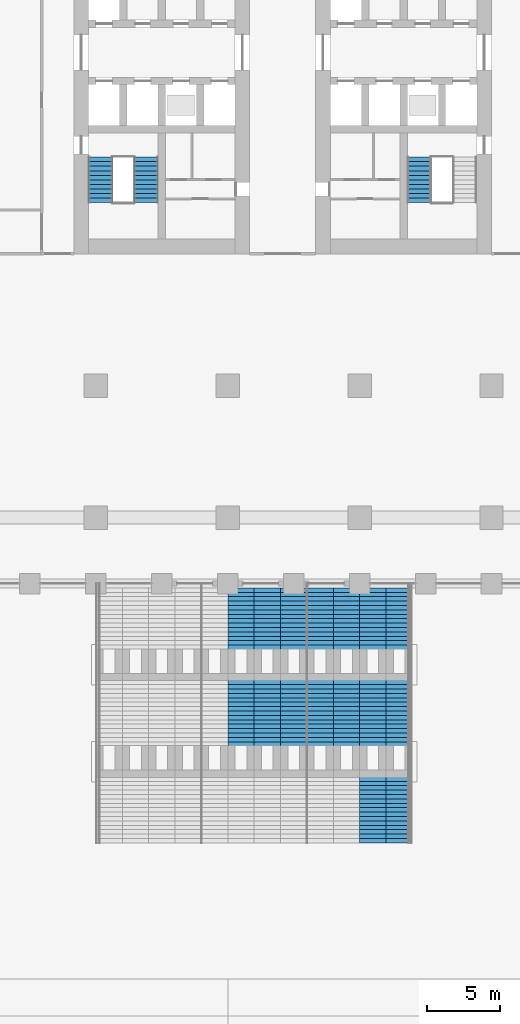
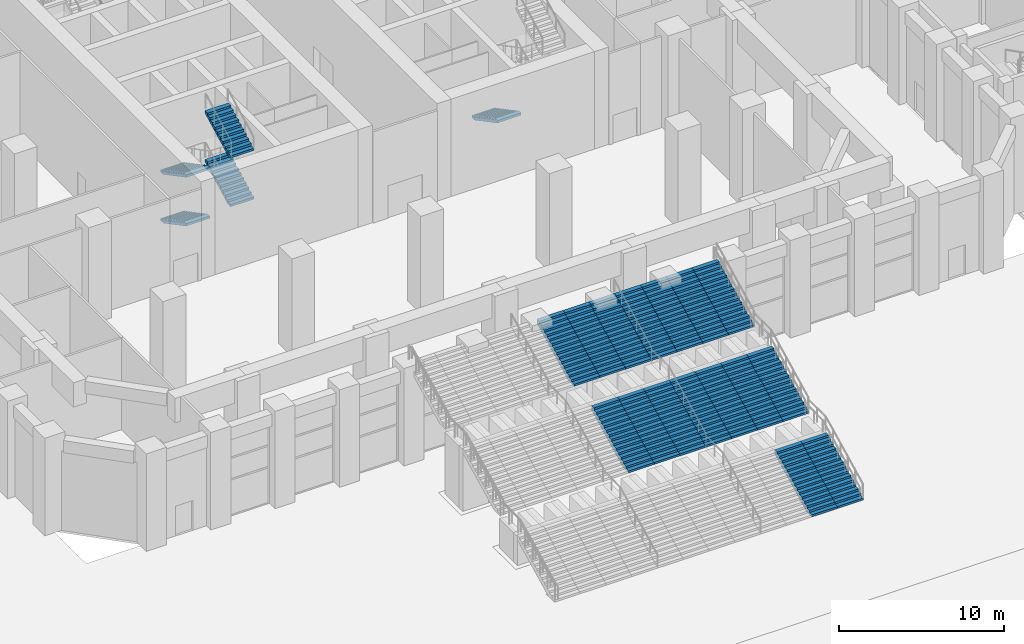
# One storey, part 20 of 30: 21 stair flights, 9 elements without a shape of their own.
"""IFC4 building model written with IfcOpenShell, lengths in metres."""

import ifcopenshell
import ifcopenshell.guid

model = None  # the IFC model being written
_history = None  # IfcOwnerHistory: only IFC2X3 demands one
_inside = {}  # id of a spatial element -> (the spatial element, [elements in it])
_under = {}  # id of a project, library or spatial element -> (it, [spatial elements below it])
_declared = {}  # id of a project -> (the project, [libraries it declares])
_typed = {}  # id of a type object -> (the type object, [elements of that type])
_made_of = {}  # id of a material, layer set ... -> (it, [elements and type objects made of it])


def new_model(schema):
    """Start an empty IFC model of exactly this schema.

    Asked for "IFC4X3", IfcOpenShell would pick the latest addendum, in which some entities
    have other attributes; the version numbers below select the first issue.
    IFC2X3 requires an IfcOwnerHistory on every rooted entity: one is made here for all.
    """
    global model, _history
    if schema == "IFC4X3":
        model = ifcopenshell.file(schema_version=(4, 3, 0, 0))
    else:
        model = ifcopenshell.file(schema=schema)
    _inside.clear()
    _under.clear()
    _declared.clear()
    _typed.clear()
    _made_of.clear()
    _history = None
    if model.schema == "IFC2X3":
        org = make("IfcOrganization", Name="unknown")
        user = make(
            "IfcPersonAndOrganization",
            ThePerson=make("IfcPerson", FamilyName="unknown"),
            TheOrganization=org,
        )
        app = make(
            "IfcApplication",
            ApplicationDeveloper=org,
            Version="unknown",
            ApplicationFullName="unknown",
            ApplicationIdentifier="unknown",
        )
        _history = make(
            "IfcOwnerHistory",
            OwningUser=user,
            OwningApplication=app,
            ChangeAction="ADDED",
            CreationDate=0,
        )
    return model


def make(cls, **values):
    """One entity of the class cls with the attributes given. An attribute that is None is left unset."""
    return model.create_entity(
        cls, **{name: value for name, value in values.items() if value is not None}
    )


def rooted(cls, **values):
    """An entity with a GlobalId (a new one), such as an element, a storey or a relation."""
    return make(cls, GlobalId=ifcopenshell.guid.new(), OwnerHistory=_history, **values)


def si_unit(unit_type, name, prefix=None):
    """IfcSIUnit, for example si_unit("LENGTHUNIT", "METRE", prefix="MILLI")."""
    return make("IfcSIUnit", UnitType=unit_type, Prefix=prefix, Name=name)


def assignment(units):
    """IfcUnitAssignment: the units of a project."""
    return None if units is None else make("IfcUnitAssignment", Units=units)


def point(xyz):
    """IfcCartesianPoint."""
    return None if xyz is None else make("IfcCartesianPoint", Coordinates=xyz)


def direction(xyz):
    """IfcDirection."""
    return None if xyz is None else make("IfcDirection", DirectionRatios=xyz)


def frame(location, z_axis=None, x_axis=None):
    """IfcAxis2Placement3D, a coordinate frame: its origin and axes. An axis left out is left unset."""
    return make(
        "IfcAxis2Placement3D",
        Location=point(location),
        Axis=direction(z_axis),
        RefDirection=direction(x_axis),
    )


def origin():
    """The frame at (0, 0, 0) with its axes left unset."""
    return frame((0.0, 0.0, 0.0))


def place(relative_to, where):
    """IfcLocalPlacement: puts the frame where relative to a parent placement (None: the world)."""
    return make(
        "IfcLocalPlacement", PlacementRelTo=relative_to, RelativePlacement=where
    )


def context(
    kind, dimensions, precision=None, world=None, true_north=None, identifier=None
):
    """IfcGeometricRepresentationContext, for example the 3D "Model" context."""
    return make(
        "IfcGeometricRepresentationContext",
        ContextIdentifier=identifier,
        ContextType=kind,
        CoordinateSpaceDimension=dimensions,
        Precision=precision,
        WorldCoordinateSystem=world,
        TrueNorth=true_north,
    )


def subcontext(parent, identifier, kind, view, scale=None):
    """IfcGeometricRepresentationSubContext, for example "Body" below "Model"."""
    return make(
        "IfcGeometricRepresentationSubContext",
        ContextIdentifier=identifier,
        ContextType=kind,
        ParentContext=parent,
        TargetScale=scale,
        TargetView=view,
    )


def project(units=None, contexts=None):
    """IfcProject with its units and contexts."""
    return rooted(
        "IfcProject",
        Name="project",
        RepresentationContexts=contexts,
        UnitsInContext=assignment(units),
    )


def spatial(cls, under=None, at=None, **own):
    """A site, building, storey or space (cls), placed at a placement, below another one or the project."""
    s = rooted(cls, ObjectPlacement=at, **own)
    if under is not None:
        _under.setdefault(under.id(), (under, []))[1].append(s)
    return s


def polyline(points):
    """IfcPolyline through the points."""
    return make("IfcPolyline", Points=[point(p) for p in points])


def outline(outer, holes=None, kind="AREA"):
    """IfcArbitraryClosedProfileDef: a profile drawn as a closed curve; with holes, ...WithVoids."""
    if holes is None:
        return make("IfcArbitraryClosedProfileDef", ProfileType=kind, OuterCurve=outer)
    return make(
        "IfcArbitraryProfileDefWithVoids",
        ProfileType=kind,
        OuterCurve=outer,
        InnerCurves=holes,
    )


def extrude(swept, where, along, depth):
    """IfcExtrudedAreaSolid: the profile swept, set in the frame where, extruded along a direction by depth."""
    return make(
        "IfcExtrudedAreaSolid",
        SweptArea=swept,
        Position=where,
        ExtrudedDirection=direction(along),
        Depth=depth,
    )


def shape(context_of_items, identifier, shape_type, items):
    """IfcShapeRepresentation: the items that make up one representation, for example the "Body"."""
    return make(
        "IfcShapeRepresentation",
        ContextOfItems=context_of_items,
        RepresentationIdentifier=identifier,
        RepresentationType=shape_type,
        Items=items,
    )


def material(Name=None, Category=None):
    """IfcMaterial."""
    return make("IfcMaterial", Name=Name, Category=Category)


def made_of(thing, what):
    """Note that an element or type object is made of a material, layer set ...; save() writes the relation."""
    if what is not None:
        _made_of.setdefault(what.id(), (what, []))[1].append(thing)
    return thing


def type_object(cls, material=None, **own):
    """A type object (cls), such as IfcWallType, which elements share."""
    return made_of(rooted(cls, **own), material)


def element(
    cls,
    number,
    at=None,
    inside=None,
    cuts=None,
    type_object=None,
    material=None,
    context=None,
    identifier="Body",
    shape_type=None,
    held_by="IfcProductDefinitionShape",
    body=None,
    shapes=None,
    **own,
):
    """One element of the class cls, such as IfcWall. Its Tag is "e" and its number.

    at: its placement. inside: the storey or other place that contains it. cuts: it is an
    opening in that element (IfcRelVoidsElement). A single representation is given by context,
    identifier, shape_type and body (its items); several are given by shapes. held_by: the class
    of the entity that holds the representations. save() writes the other relations.
    """
    e = rooted(cls, Tag="e%d" % number, ObjectPlacement=at, **own)
    if body is not None:
        shapes = [shape(context, identifier, shape_type, body)]
    if shapes is not None:
        e.Representation = make(held_by, Representations=shapes)
    if inside is not None:
        _inside.setdefault(inside.id(), (inside, []))[1].append(e)
    if cuts is not None:
        rooted(
            "IfcRelVoidsElement", RelatingBuildingElement=cuts, RelatedOpeningElement=e
        )
    if type_object is not None:
        _typed.setdefault(type_object.id(), (type_object, []))[1].append(e)
    return made_of(e, material)


def aggregate(whole, parts):
    """IfcRelAggregates: a whole, such as a stair, and the parts it consists of."""
    return rooted("IfcRelAggregates", RelatingObject=whole, RelatedObjects=parts)


def save(model, path):
    """Write the relations noted so far, then the file.

    IfcRelAggregates (storeys below a building ...), IfcRelContainedInSpatialStructure (elements
    in a storey), IfcRelDefinesByType, IfcRelAssociatesMaterial and IfcRelDeclares: one each for
    every whole, place, type object, material and project.
    """
    for whole, parts in _under.values():
        aggregate(whole, parts)
    for where, things in _inside.values():
        rooted(
            "IfcRelContainedInSpatialStructure",
            RelatedElements=things,
            RelatingStructure=where,
        )
    for kind, things in _typed.values():
        rooted("IfcRelDefinesByType", RelatedObjects=things, RelatingType=kind)
    for what, things in _made_of.values():
        rooted("IfcRelAssociatesMaterial", RelatedObjects=things, RelatingMaterial=what)
    for by, libraries in _declared.values():
        rooted("IfcRelDeclares", RelatingContext=by, RelatedDefinitions=libraries)
    model.write(path)


model = new_model("IFC4")

# Units and contexts
model_context = context("Model", 3, precision=1e-05, world=origin(), true_north=direction((0.0, 1.0)))
body_context = subcontext(model_context, "Body", "Model", "MODEL_VIEW")
ifc_project = project(units=[si_unit("LENGTHUNIT", "METRE"), si_unit("AREAUNIT", "SQUARE_METRE"), si_unit("VOLUMEUNIT", "CUBIC_METRE"), si_unit("PLANEANGLEUNIT", "RADIAN"), si_unit("MASSUNIT", "GRAM", prefix="KILO")], contexts=[model_context])

# Site, building, storey
site_placement = place(None, origin())
site = spatial("IfcSite", under=ifc_project, at=site_placement, CompositionType="ELEMENT")
building_placement = place(site_placement, origin())
building = spatial("IfcBuilding", under=site, at=building_placement, Name="Corbel Stack Research Tower", CompositionType="ELEMENT")
storey_placement = place(building_placement, origin())
storey = spatial("IfcBuildingStorey", under=building, at=storey_placement, Name="L00", CompositionType="ELEMENT", Elevation=0.0)

# Stair, stair flights
ifc_material_1 = material(Name="Concrete C40/50", Category="concrete")
stair_type_1 = type_object("IfcStairType", Name="SST1 garden stair", PredefinedType="STRAIGHT_RUN_STAIR", material=ifc_material_1)
stair_1_placement = place(storey_placement, origin())
stair_1 = element("IfcStair", 1, at=stair_1_placement, inside=storey, type_object=stair_type_1, Name="Garden stair GS6", PredefinedType="STRAIGHT_RUN_STAIR")
ifc_material_2 = material(Name="Concrete C40/50", Category="concrete")
stair_flight_type_1 = type_object("IfcStairFlightType", Name="SST2 garden stair flight", PredefinedType="STRAIGHT", material=ifc_material_2)
stair_flight_1_placement = place(storey_placement, frame((0.89990234375, -42.60009765625, 2.39990234375), z_axis=(0.0, 0.0, 1.0), x_axis=(0.0, 1.0, 0.0)))
stair_flight_1 = element("IfcStairFlight", 2, at=stair_flight_1_placement, type_object=stair_flight_type_1, Name="GS6 flight 2", NumberOfRisers=16, NumberOfTreads=15, PredefinedType="STRAIGHT", RiserHeight=0.15, TreadLength=0.3, context=body_context, shape_type="SweptSolid", body=[
    extrude(outline(polyline([(0.0, 0.0), (0.0, 0.14990234375), (0.300048828125, 0.14990234375), (0.300048828125, 0.300048828125), (0.60009765625, 0.300048828125), (0.60009765625, 0.449951171875), (0.89990234375, 0.449951171875), (0.89990234375, 0.60009765625), (1.199951171875, 0.60009765625), (1.199951171875, 0.75), (1.5, 0.75), (1.5, 0.89990234375), (1.800048828125, 0.89990234375), (1.800048828125, 1.050048828125), (2.10009765625, 1.050048828125), (2.10009765625, 1.199951171875), (2.39990234375, 1.199951171875), (2.39990234375, 1.35009765625), (2.699951171875, 1.35009765625), (2.699951171875, 1.5), (3.0, 1.5), (3.0, 1.64990234375), (3.300048828125, 1.64990234375), (3.300048828125, 1.800048828125), (3.60009765625, 1.800048828125), (3.60009765625, 1.949951171875), (3.89990234375, 1.949951171875), (3.89990234375, 2.10009765625), (4.199951171875, 2.10009765625), (4.199951171875, 2.25), (4.5, 2.25), (4.5, 2.39990234375), (4.5, 1.91455078125), (0.6708984375, 0.0), (0.0, 0.0)])), frame((0.0, 0.89990234375, 0.0), z_axis=(0.0, -1.0, 0.0), x_axis=(1.0, 0.0, 0.0)), (0.0, 0.0, 1.0), 1.800048828125),
])
stair_flight_2_placement = place(storey_placement, frame((0.89990234375, -36.0, 4.800048828125), z_axis=(0.0, 0.0, 1.0), x_axis=(0.0, 1.0, 0.0)))
stair_flight_2 = element("IfcStairFlight", 3, at=stair_flight_2_placement, type_object=stair_flight_type_1, Name="GS6 flight 3", NumberOfRisers=16, NumberOfTreads=15, PredefinedType="STRAIGHT", RiserHeight=0.15, TreadLength=0.3, context=body_context, shape_type="SweptSolid", body=[
    extrude(outline(polyline([(0.0, 0.0), (0.0, 0.14990234375), (0.300048828125, 0.14990234375), (0.300048828125, 0.300048828125), (0.60009765625, 0.300048828125), (0.60009765625, 0.449951171875), (0.89990234375, 0.449951171875), (0.89990234375, 0.60009765625), (1.199951171875, 0.60009765625), (1.199951171875, 0.75), (1.5, 0.75), (1.5, 0.89990234375), (1.800048828125, 0.89990234375), (1.800048828125, 1.050048828125), (2.10009765625, 1.050048828125), (2.10009765625, 1.199951171875), (2.39990234375, 1.199951171875), (2.39990234375, 1.35009765625), (2.699951171875, 1.35009765625), (2.699951171875, 1.5), (3.0, 1.5), (3.0, 1.64990234375), (3.300048828125, 1.64990234375), (3.300048828125, 1.800048828125), (3.60009765625, 1.800048828125), (3.60009765625, 1.949951171875), (3.89990234375, 1.949951171875), (3.89990234375, 2.10009765625), (4.199951171875, 2.10009765625), (4.199951171875, 2.25), (4.5, 2.25), (4.5, 2.39990234375), (4.5, 1.91455078125), (0.6708984375, 0.0), (0.0, 0.0)])), frame((0.0, 0.89990234375, 0.0), z_axis=(0.0, -1.0, 0.0), x_axis=(1.0, 0.0, 0.0)), (0.0, 0.0, 1.0), 1.800048828125),
])
aggregate(stair_1, [stair_flight_1, stair_flight_2])

stair_2_placement = place(storey_placement, origin())
stair_2 = element("IfcStair", 4, at=stair_2_placement, inside=storey, type_object=stair_type_1, Name="Garden stair GS7", PredefinedType="STRAIGHT_RUN_STAIR")
stair_flight_3_placement = place(storey_placement, frame((2.699951171875, -42.60009765625, 2.39990234375), z_axis=(0.0, 0.0, 1.0), x_axis=(0.0, 1.0, 0.0)))
stair_flight_3 = element("IfcStairFlight", 5, at=stair_flight_3_placement, type_object=stair_flight_type_1, Name="GS7 flight 2", NumberOfRisers=16, NumberOfTreads=15, PredefinedType="STRAIGHT", RiserHeight=0.15, TreadLength=0.3, context=body_context, shape_type="SweptSolid", body=[
    extrude(outline(polyline([(0.0, 0.0), (0.0, 0.14990234375), (0.300048828125, 0.14990234375), (0.300048828125, 0.300048828125), (0.60009765625, 0.300048828125), (0.60009765625, 0.449951171875), (0.89990234375, 0.449951171875), (0.89990234375, 0.60009765625), (1.199951171875, 0.60009765625), (1.199951171875, 0.75), (1.5, 0.75), (1.5, 0.89990234375), (1.800048828125, 0.89990234375), (1.800048828125, 1.050048828125), (2.10009765625, 1.050048828125), (2.10009765625, 1.199951171875), (2.39990234375, 1.199951171875), (2.39990234375, 1.35009765625), (2.699951171875, 1.35009765625), (2.699951171875, 1.5), (3.0, 1.5), (3.0, 1.64990234375), (3.300048828125, 1.64990234375), (3.300048828125, 1.800048828125), (3.60009765625, 1.800048828125), (3.60009765625, 1.949951171875), (3.89990234375, 1.949951171875), (3.89990234375, 2.10009765625), (4.199951171875, 2.10009765625), (4.199951171875, 2.25), (4.5, 2.25), (4.5, 2.39990234375), (4.5, 1.91455078125), (0.6708984375, 0.0), (0.0, 0.0)])), frame((0.0, 0.89990234375, 0.0), z_axis=(0.0, -1.0, 0.0), x_axis=(1.0, 0.0, 0.0)), (0.0, 0.0, 1.0), 1.800048828125),
])
stair_flight_4_placement = place(storey_placement, frame((2.699951171875, -36.0, 4.800048828125), z_axis=(0.0, 0.0, 1.0), x_axis=(0.0, 1.0, 0.0)))
stair_flight_4 = element("IfcStairFlight", 6, at=stair_flight_4_placement, type_object=stair_flight_type_1, Name="GS7 flight 3", NumberOfRisers=16, NumberOfTreads=15, PredefinedType="STRAIGHT", RiserHeight=0.15, TreadLength=0.3, context=body_context, shape_type="SweptSolid", body=[
    extrude(outline(polyline([(0.0, 0.0), (0.0, 0.14990234375), (0.300048828125, 0.14990234375), (0.300048828125, 0.300048828125), (0.60009765625, 0.300048828125), (0.60009765625, 0.449951171875), (0.89990234375, 0.449951171875), (0.89990234375, 0.60009765625), (1.199951171875, 0.60009765625), (1.199951171875, 0.75), (1.5, 0.75), (1.5, 0.89990234375), (1.800048828125, 0.89990234375), (1.800048828125, 1.050048828125), (2.10009765625, 1.050048828125), (2.10009765625, 1.199951171875), (2.39990234375, 1.199951171875), (2.39990234375, 1.35009765625), (2.699951171875, 1.35009765625), (2.699951171875, 1.5), (3.0, 1.5), (3.0, 1.64990234375), (3.300048828125, 1.64990234375), (3.300048828125, 1.800048828125), (3.60009765625, 1.800048828125), (3.60009765625, 1.949951171875), (3.89990234375, 1.949951171875), (3.89990234375, 2.10009765625), (4.199951171875, 2.10009765625), (4.199951171875, 2.25), (4.5, 2.25), (4.5, 2.39990234375), (4.5, 1.91455078125), (0.6708984375, 0.0), (0.0, 0.0)])), frame((0.0, 0.89990234375, 0.0), z_axis=(0.0, -1.0, 0.0), x_axis=(1.0, 0.0, 0.0)), (0.0, 0.0, 1.0), 1.800048828125),
])
aggregate(stair_2, [stair_flight_3, stair_flight_4])

stair_3_placement = place(storey_placement, origin())
stair_3 = element("IfcStair", 7, at=stair_3_placement, inside=storey, type_object=stair_type_1, Name="Garden stair GS8", PredefinedType="STRAIGHT_RUN_STAIR")
stair_flight_5_placement = place(storey_placement, frame((4.5, -42.60009765625, 2.39990234375), z_axis=(0.0, 0.0, 1.0), x_axis=(0.0, 1.0, 0.0)))
stair_flight_5 = element("IfcStairFlight", 8, at=stair_flight_5_placement, type_object=stair_flight_type_1, Name="GS8 flight 2", NumberOfRisers=16, NumberOfTreads=15, PredefinedType="STRAIGHT", RiserHeight=0.15, TreadLength=0.3, context=body_context, shape_type="SweptSolid", body=[
    extrude(outline(polyline([(0.0, 0.0), (0.0, 0.14990234375), (0.300048828125, 0.14990234375), (0.300048828125, 0.300048828125), (0.60009765625, 0.300048828125), (0.60009765625, 0.449951171875), (0.89990234375, 0.449951171875), (0.89990234375, 0.60009765625), (1.199951171875, 0.60009765625), (1.199951171875, 0.75), (1.5, 0.75), (1.5, 0.89990234375), (1.800048828125, 0.89990234375), (1.800048828125, 1.050048828125), (2.10009765625, 1.050048828125), (2.10009765625, 1.199951171875), (2.39990234375, 1.199951171875), (2.39990234375, 1.35009765625), (2.699951171875, 1.35009765625), (2.699951171875, 1.5), (3.0, 1.5), (3.0, 1.64990234375), (3.300048828125, 1.64990234375), (3.300048828125, 1.800048828125), (3.60009765625, 1.800048828125), (3.60009765625, 1.949951171875), (3.89990234375, 1.949951171875), (3.89990234375, 2.10009765625), (4.199951171875, 2.10009765625), (4.199951171875, 2.25), (4.5, 2.25), (4.5, 2.39990234375), (4.5, 1.91455078125), (0.6708984375, 0.0), (0.0, 0.0)])), frame((0.0, 0.89990234375, 0.0), z_axis=(0.0, -1.0, 0.0), x_axis=(1.0, 0.0, 0.0)), (0.0, 0.0, 1.0), 1.800048828125),
])
stair_flight_6_placement = place(storey_placement, frame((4.5, -36.0, 4.800048828125), z_axis=(0.0, 0.0, 1.0), x_axis=(0.0, 1.0, 0.0)))
stair_flight_6 = element("IfcStairFlight", 9, at=stair_flight_6_placement, type_object=stair_flight_type_1, Name="GS8 flight 3", NumberOfRisers=16, NumberOfTreads=15, PredefinedType="STRAIGHT", RiserHeight=0.15, TreadLength=0.3, context=body_context, shape_type="SweptSolid", body=[
    extrude(outline(polyline([(0.0, 0.0), (0.0, 0.14990234375), (0.300048828125, 0.14990234375), (0.300048828125, 0.300048828125), (0.60009765625, 0.300048828125), (0.60009765625, 0.449951171875), (0.89990234375, 0.449951171875), (0.89990234375, 0.60009765625), (1.199951171875, 0.60009765625), (1.199951171875, 0.75), (1.5, 0.75), (1.5, 0.89990234375), (1.800048828125, 0.89990234375), (1.800048828125, 1.050048828125), (2.10009765625, 1.050048828125), (2.10009765625, 1.199951171875), (2.39990234375, 1.199951171875), (2.39990234375, 1.35009765625), (2.699951171875, 1.35009765625), (2.699951171875, 1.5), (3.0, 1.5), (3.0, 1.64990234375), (3.300048828125, 1.64990234375), (3.300048828125, 1.800048828125), (3.60009765625, 1.800048828125), (3.60009765625, 1.949951171875), (3.89990234375, 1.949951171875), (3.89990234375, 2.10009765625), (4.199951171875, 2.10009765625), (4.199951171875, 2.25), (4.5, 2.25), (4.5, 2.39990234375), (4.5, 1.91455078125), (0.6708984375, 0.0), (0.0, 0.0)])), frame((0.0, 0.89990234375, 0.0), z_axis=(0.0, -1.0, 0.0), x_axis=(1.0, 0.0, 0.0)), (0.0, 0.0, 1.0), 1.800048828125),
])
aggregate(stair_3, [stair_flight_5, stair_flight_6])

stair_4_placement = place(storey_placement, origin())
stair_4 = element("IfcStair", 10, at=stair_4_placement, inside=storey, type_object=stair_type_1, Name="Garden stair GS9", PredefinedType="STRAIGHT_RUN_STAIR")
stair_flight_7_placement = place(storey_placement, frame((6.300048828125, -42.60009765625, 2.39990234375), z_axis=(0.0, 0.0, 1.0), x_axis=(0.0, 1.0, 0.0)))
stair_flight_7 = element("IfcStairFlight", 11, at=stair_flight_7_placement, type_object=stair_flight_type_1, Name="GS9 flight 2", NumberOfRisers=16, NumberOfTreads=15, PredefinedType="STRAIGHT", RiserHeight=0.15, TreadLength=0.3, context=body_context, shape_type="SweptSolid", body=[
    extrude(outline(polyline([(0.0, 0.0), (0.0, 0.14990234375), (0.300048828125, 0.14990234375), (0.300048828125, 0.300048828125), (0.60009765625, 0.300048828125), (0.60009765625, 0.449951171875), (0.89990234375, 0.449951171875), (0.89990234375, 0.60009765625), (1.199951171875, 0.60009765625), (1.199951171875, 0.75), (1.5, 0.75), (1.5, 0.89990234375), (1.800048828125, 0.89990234375), (1.800048828125, 1.050048828125), (2.10009765625, 1.050048828125), (2.10009765625, 1.199951171875), (2.39990234375, 1.199951171875), (2.39990234375, 1.35009765625), (2.699951171875, 1.35009765625), (2.699951171875, 1.5), (3.0, 1.5), (3.0, 1.64990234375), (3.300048828125, 1.64990234375), (3.300048828125, 1.800048828125), (3.60009765625, 1.800048828125), (3.60009765625, 1.949951171875), (3.89990234375, 1.949951171875), (3.89990234375, 2.10009765625), (4.199951171875, 2.10009765625), (4.199951171875, 2.25), (4.5, 2.25), (4.5, 2.39990234375), (4.5, 1.91455078125), (0.6708984375, 0.0), (0.0, 0.0)])), frame((0.0, 0.89990234375, 0.0), z_axis=(0.0, -1.0, 0.0), x_axis=(1.0, 0.0, 0.0)), (0.0, 0.0, 1.0), 1.800048828125),
])
stair_flight_8_placement = place(storey_placement, frame((6.300048828125, -36.0, 4.800048828125), z_axis=(0.0, 0.0, 1.0), x_axis=(0.0, 1.0, 0.0)))
stair_flight_8 = element("IfcStairFlight", 12, at=stair_flight_8_placement, type_object=stair_flight_type_1, Name="GS9 flight 3", NumberOfRisers=16, NumberOfTreads=15, PredefinedType="STRAIGHT", RiserHeight=0.15, TreadLength=0.3, context=body_context, shape_type="SweptSolid", body=[
    extrude(outline(polyline([(0.0, 0.0), (0.0, 0.14990234375), (0.300048828125, 0.14990234375), (0.300048828125, 0.300048828125), (0.60009765625, 0.300048828125), (0.60009765625, 0.449951171875), (0.89990234375, 0.449951171875), (0.89990234375, 0.60009765625), (1.199951171875, 0.60009765625), (1.199951171875, 0.75), (1.5, 0.75), (1.5, 0.89990234375), (1.800048828125, 0.89990234375), (1.800048828125, 1.050048828125), (2.10009765625, 1.050048828125), (2.10009765625, 1.199951171875), (2.39990234375, 1.199951171875), (2.39990234375, 1.35009765625), (2.699951171875, 1.35009765625), (2.699951171875, 1.5), (3.0, 1.5), (3.0, 1.64990234375), (3.300048828125, 1.64990234375), (3.300048828125, 1.800048828125), (3.60009765625, 1.800048828125), (3.60009765625, 1.949951171875), (3.89990234375, 1.949951171875), (3.89990234375, 2.10009765625), (4.199951171875, 2.10009765625), (4.199951171875, 2.25), (4.5, 2.25), (4.5, 2.39990234375), (4.5, 1.91455078125), (0.6708984375, 0.0), (0.0, 0.0)])), frame((0.0, 0.89990234375, 0.0), z_axis=(0.0, -1.0, 0.0), x_axis=(1.0, 0.0, 0.0)), (0.0, 0.0, 1.0), 1.800048828125),
])
aggregate(stair_4, [stair_flight_7, stair_flight_8])

stair_5_placement = place(storey_placement, origin())
stair_5 = element("IfcStair", 13, at=stair_5_placement, inside=storey, type_object=stair_type_1, Name="Garden stair GS10", PredefinedType="STRAIGHT_RUN_STAIR")
stair_flight_9_placement = place(storey_placement, frame((8.10009765625, -42.60009765625, 2.39990234375), z_axis=(0.0, 0.0, 1.0), x_axis=(0.0, 1.0, 0.0)))
stair_flight_9 = element("IfcStairFlight", 14, at=stair_flight_9_placement, type_object=stair_flight_type_1, Name="GS10 flight 2", NumberOfRisers=16, NumberOfTreads=15, PredefinedType="STRAIGHT", RiserHeight=0.15, TreadLength=0.3, context=body_context, shape_type="SweptSolid", body=[
    extrude(outline(polyline([(0.0, 0.0), (0.0, 0.14990234375), (0.300048828125, 0.14990234375), (0.300048828125, 0.300048828125), (0.60009765625, 0.300048828125), (0.60009765625, 0.449951171875), (0.89990234375, 0.449951171875), (0.89990234375, 0.60009765625), (1.199951171875, 0.60009765625), (1.199951171875, 0.75), (1.5, 0.75), (1.5, 0.89990234375), (1.800048828125, 0.89990234375), (1.800048828125, 1.050048828125), (2.10009765625, 1.050048828125), (2.10009765625, 1.199951171875), (2.39990234375, 1.199951171875), (2.39990234375, 1.35009765625), (2.699951171875, 1.35009765625), (2.699951171875, 1.5), (3.0, 1.5), (3.0, 1.64990234375), (3.300048828125, 1.64990234375), (3.300048828125, 1.800048828125), (3.60009765625, 1.800048828125), (3.60009765625, 1.949951171875), (3.89990234375, 1.949951171875), (3.89990234375, 2.10009765625), (4.199951171875, 2.10009765625), (4.199951171875, 2.25), (4.5, 2.25), (4.5, 2.39990234375), (4.5, 1.91455078125), (0.6708984375, 0.0), (0.0, 0.0)])), frame((0.0, 0.89990234375, 0.0), z_axis=(0.0, -1.0, 0.0), x_axis=(1.0, 0.0, 0.0)), (0.0, 0.0, 1.0), 1.800048828125),
])
stair_flight_10_placement = place(storey_placement, frame((8.10009765625, -36.0, 4.800048828125), z_axis=(0.0, 0.0, 1.0), x_axis=(0.0, 1.0, 0.0)))
stair_flight_10 = element("IfcStairFlight", 15, at=stair_flight_10_placement, type_object=stair_flight_type_1, Name="GS10 flight 3", NumberOfRisers=16, NumberOfTreads=15, PredefinedType="STRAIGHT", RiserHeight=0.15, TreadLength=0.3, context=body_context, shape_type="SweptSolid", body=[
    extrude(outline(polyline([(0.0, 0.0), (0.0, 0.14990234375), (0.300048828125, 0.14990234375), (0.300048828125, 0.300048828125), (0.60009765625, 0.300048828125), (0.60009765625, 0.449951171875), (0.89990234375, 0.449951171875), (0.89990234375, 0.60009765625), (1.199951171875, 0.60009765625), (1.199951171875, 0.75), (1.5, 0.75), (1.5, 0.89990234375), (1.800048828125, 0.89990234375), (1.800048828125, 1.050048828125), (2.10009765625, 1.050048828125), (2.10009765625, 1.199951171875), (2.39990234375, 1.199951171875), (2.39990234375, 1.35009765625), (2.699951171875, 1.35009765625), (2.699951171875, 1.5), (3.0, 1.5), (3.0, 1.64990234375), (3.300048828125, 1.64990234375), (3.300048828125, 1.800048828125), (3.60009765625, 1.800048828125), (3.60009765625, 1.949951171875), (3.89990234375, 1.949951171875), (3.89990234375, 2.10009765625), (4.199951171875, 2.10009765625), (4.199951171875, 2.25), (4.5, 2.25), (4.5, 2.39990234375), (4.5, 1.91455078125), (0.6708984375, 0.0), (0.0, 0.0)])), frame((0.0, 0.89990234375, 0.0), z_axis=(0.0, -1.0, 0.0), x_axis=(1.0, 0.0, 0.0)), (0.0, 0.0, 1.0), 1.800048828125),
])
aggregate(stair_5, [stair_flight_9, stair_flight_10])

stair_6_placement = place(storey_placement, origin())
stair_6 = element("IfcStair", 16, at=stair_6_placement, inside=storey, type_object=stair_type_1, Name="Garden stair GS11", PredefinedType="STRAIGHT_RUN_STAIR")
stair_flight_11_placement = place(storey_placement, frame((9.89990234375, -49.199951171875, 0.0), z_axis=(0.0, 0.0, 1.0), x_axis=(0.0, 1.0, 0.0)))
stair_flight_11 = element("IfcStairFlight", 17, at=stair_flight_11_placement, type_object=stair_flight_type_1, Name="GS11 flight 1", NumberOfRisers=16, NumberOfTreads=15, PredefinedType="STRAIGHT", RiserHeight=0.15, TreadLength=0.3, context=body_context, shape_type="SweptSolid", body=[
    extrude(outline(polyline([(0.0, 0.0), (0.0, 0.14990234375), (0.300048828125, 0.14990234375), (0.300048828125, 0.300048828125), (0.60009765625, 0.300048828125), (0.60009765625, 0.449951171875), (0.89990234375, 0.449951171875), (0.89990234375, 0.60009765625), (1.199951171875, 0.60009765625), (1.199951171875, 0.75), (1.5, 0.75), (1.5, 0.89990234375), (1.800048828125, 0.89990234375), (1.800048828125, 1.050048828125), (2.10009765625, 1.050048828125), (2.10009765625, 1.199951171875), (2.39990234375, 1.199951171875), (2.39990234375, 1.35009765625), (2.699951171875, 1.35009765625), (2.699951171875, 1.5), (3.0, 1.5), (3.0, 1.64990234375), (3.300048828125, 1.64990234375), (3.300048828125, 1.800048828125), (3.60009765625, 1.800048828125), (3.60009765625, 1.949951171875), (3.89990234375, 1.949951171875), (3.89990234375, 2.10009765625), (4.199951171875, 2.10009765625), (4.199951171875, 2.25), (4.5, 2.25), (4.5, 2.39990234375), (4.5, 1.91455078125), (0.6708984375, 0.0), (0.0, 0.0)])), frame((0.0, 0.89990234375, 0.0), z_axis=(0.0, -1.0, 0.0), x_axis=(1.0, 0.0, 0.0)), (0.0, 0.0, 1.0), 1.800048828125),
])
stair_flight_12_placement = place(storey_placement, frame((9.89990234375, -42.60009765625, 2.39990234375), z_axis=(0.0, 0.0, 1.0), x_axis=(0.0, 1.0, 0.0)))
stair_flight_12 = element("IfcStairFlight", 18, at=stair_flight_12_placement, type_object=stair_flight_type_1, Name="GS11 flight 2", NumberOfRisers=16, NumberOfTreads=15, PredefinedType="STRAIGHT", RiserHeight=0.15, TreadLength=0.3, context=body_context, shape_type="SweptSolid", body=[
    extrude(outline(polyline([(0.0, 0.0), (0.0, 0.14990234375), (0.300048828125, 0.14990234375), (0.300048828125, 0.300048828125), (0.60009765625, 0.300048828125), (0.60009765625, 0.449951171875), (0.89990234375, 0.449951171875), (0.89990234375, 0.60009765625), (1.199951171875, 0.60009765625), (1.199951171875, 0.75), (1.5, 0.75), (1.5, 0.89990234375), (1.800048828125, 0.89990234375), (1.800048828125, 1.050048828125), (2.10009765625, 1.050048828125), (2.10009765625, 1.199951171875), (2.39990234375, 1.199951171875), (2.39990234375, 1.35009765625), (2.699951171875, 1.35009765625), (2.699951171875, 1.5), (3.0, 1.5), (3.0, 1.64990234375), (3.300048828125, 1.64990234375), (3.300048828125, 1.800048828125), (3.60009765625, 1.800048828125), (3.60009765625, 1.949951171875), (3.89990234375, 1.949951171875), (3.89990234375, 2.10009765625), (4.199951171875, 2.10009765625), (4.199951171875, 2.25), (4.5, 2.25), (4.5, 2.39990234375), (4.5, 1.91455078125), (0.6708984375, 0.0), (0.0, 0.0)])), frame((0.0, 0.89990234375, 0.0), z_axis=(0.0, -1.0, 0.0), x_axis=(1.0, 0.0, 0.0)), (0.0, 0.0, 1.0), 1.800048828125),
])
stair_flight_13_placement = place(storey_placement, frame((9.89990234375, -36.0, 4.800048828125), z_axis=(0.0, 0.0, 1.0), x_axis=(0.0, 1.0, 0.0)))
stair_flight_13 = element("IfcStairFlight", 19, at=stair_flight_13_placement, type_object=stair_flight_type_1, Name="GS11 flight 3", NumberOfRisers=16, NumberOfTreads=15, PredefinedType="STRAIGHT", RiserHeight=0.15, TreadLength=0.3, context=body_context, shape_type="SweptSolid", body=[
    extrude(outline(polyline([(0.0, 0.0), (0.0, 0.14990234375), (0.300048828125, 0.14990234375), (0.300048828125, 0.300048828125), (0.60009765625, 0.300048828125), (0.60009765625, 0.449951171875), (0.89990234375, 0.449951171875), (0.89990234375, 0.60009765625), (1.199951171875, 0.60009765625), (1.199951171875, 0.75), (1.5, 0.75), (1.5, 0.89990234375), (1.800048828125, 0.89990234375), (1.800048828125, 1.050048828125), (2.10009765625, 1.050048828125), (2.10009765625, 1.199951171875), (2.39990234375, 1.199951171875), (2.39990234375, 1.35009765625), (2.699951171875, 1.35009765625), (2.699951171875, 1.5), (3.0, 1.5), (3.0, 1.64990234375), (3.300048828125, 1.64990234375), (3.300048828125, 1.800048828125), (3.60009765625, 1.800048828125), (3.60009765625, 1.949951171875), (3.89990234375, 1.949951171875), (3.89990234375, 2.10009765625), (4.199951171875, 2.10009765625), (4.199951171875, 2.25), (4.5, 2.25), (4.5, 2.39990234375), (4.5, 1.91455078125), (0.6708984375, 0.0), (0.0, 0.0)])), frame((0.0, 0.89990234375, 0.0), z_axis=(0.0, -1.0, 0.0), x_axis=(1.0, 0.0, 0.0)), (0.0, 0.0, 1.0), 1.800048828125),
])
aggregate(stair_6, [stair_flight_11, stair_flight_12, stair_flight_13])

stair_7_placement = place(storey_placement, origin())
stair_7 = element("IfcStair", 20, at=stair_7_placement, inside=storey, type_object=stair_type_1, Name="Garden stair GS12", PredefinedType="STRAIGHT_RUN_STAIR")
stair_flight_14_placement = place(storey_placement, frame((11.699951171875, -49.199951171875, 0.0), z_axis=(0.0, 0.0, 1.0), x_axis=(0.0, 1.0, 0.0)))
stair_flight_14 = element("IfcStairFlight", 21, at=stair_flight_14_placement, type_object=stair_flight_type_1, Name="GS12 flight 1", NumberOfRisers=16, NumberOfTreads=15, PredefinedType="STRAIGHT", RiserHeight=0.15, TreadLength=0.3, context=body_context, shape_type="SweptSolid", body=[
    extrude(outline(polyline([(0.0, 0.0), (0.0, 0.14990234375), (0.300048828125, 0.14990234375), (0.300048828125, 0.300048828125), (0.60009765625, 0.300048828125), (0.60009765625, 0.449951171875), (0.89990234375, 0.449951171875), (0.89990234375, 0.60009765625), (1.199951171875, 0.60009765625), (1.199951171875, 0.75), (1.5, 0.75), (1.5, 0.89990234375), (1.800048828125, 0.89990234375), (1.800048828125, 1.050048828125), (2.10009765625, 1.050048828125), (2.10009765625, 1.199951171875), (2.39990234375, 1.199951171875), (2.39990234375, 1.35009765625), (2.699951171875, 1.35009765625), (2.699951171875, 1.5), (3.0, 1.5), (3.0, 1.64990234375), (3.300048828125, 1.64990234375), (3.300048828125, 1.800048828125), (3.60009765625, 1.800048828125), (3.60009765625, 1.949951171875), (3.89990234375, 1.949951171875), (3.89990234375, 2.10009765625), (4.199951171875, 2.10009765625), (4.199951171875, 2.25), (4.5, 2.25), (4.5, 2.39990234375), (4.5, 1.91455078125), (0.6708984375, 0.0), (0.0, 0.0)])), frame((0.0, 0.89990234375, 0.0), z_axis=(0.0, -1.0, 0.0), x_axis=(1.0, 0.0, 0.0)), (0.0, 0.0, 1.0), 1.800048828125),
])
stair_flight_15_placement = place(storey_placement, frame((11.699951171875, -42.60009765625, 2.39990234375), z_axis=(0.0, 0.0, 1.0), x_axis=(0.0, 1.0, 0.0)))
stair_flight_15 = element("IfcStairFlight", 22, at=stair_flight_15_placement, type_object=stair_flight_type_1, Name="GS12 flight 2", NumberOfRisers=16, NumberOfTreads=15, PredefinedType="STRAIGHT", RiserHeight=0.15, TreadLength=0.3, context=body_context, shape_type="SweptSolid", body=[
    extrude(outline(polyline([(0.0, 0.0), (0.0, 0.14990234375), (0.300048828125, 0.14990234375), (0.300048828125, 0.300048828125), (0.60009765625, 0.300048828125), (0.60009765625, 0.449951171875), (0.89990234375, 0.449951171875), (0.89990234375, 0.60009765625), (1.199951171875, 0.60009765625), (1.199951171875, 0.75), (1.5, 0.75), (1.5, 0.89990234375), (1.800048828125, 0.89990234375), (1.800048828125, 1.050048828125), (2.10009765625, 1.050048828125), (2.10009765625, 1.199951171875), (2.39990234375, 1.199951171875), (2.39990234375, 1.35009765625), (2.699951171875, 1.35009765625), (2.699951171875, 1.5), (3.0, 1.5), (3.0, 1.64990234375), (3.300048828125, 1.64990234375), (3.300048828125, 1.800048828125), (3.60009765625, 1.800048828125), (3.60009765625, 1.949951171875), (3.89990234375, 1.949951171875), (3.89990234375, 2.10009765625), (4.199951171875, 2.10009765625), (4.199951171875, 2.25), (4.5, 2.25), (4.5, 2.39990234375), (4.5, 1.91455078125), (0.6708984375, 0.0), (0.0, 0.0)])), frame((0.0, 0.89990234375, 0.0), z_axis=(0.0, -1.0, 0.0), x_axis=(1.0, 0.0, 0.0)), (0.0, 0.0, 1.0), 1.800048828125),
])
stair_flight_16_placement = place(storey_placement, frame((11.699951171875, -36.0, 4.800048828125), z_axis=(0.0, 0.0, 1.0), x_axis=(0.0, 1.0, 0.0)))
stair_flight_16 = element("IfcStairFlight", 23, at=stair_flight_16_placement, type_object=stair_flight_type_1, Name="GS12 flight 3", NumberOfRisers=16, NumberOfTreads=15, PredefinedType="STRAIGHT", RiserHeight=0.15, TreadLength=0.3, context=body_context, shape_type="SweptSolid", body=[
    extrude(outline(polyline([(0.0, 0.0), (0.0, 0.14990234375), (0.300048828125, 0.14990234375), (0.300048828125, 0.300048828125), (0.60009765625, 0.300048828125), (0.60009765625, 0.449951171875), (0.89990234375, 0.449951171875), (0.89990234375, 0.60009765625), (1.199951171875, 0.60009765625), (1.199951171875, 0.75), (1.5, 0.75), (1.5, 0.89990234375), (1.800048828125, 0.89990234375), (1.800048828125, 1.050048828125), (2.10009765625, 1.050048828125), (2.10009765625, 1.199951171875), (2.39990234375, 1.199951171875), (2.39990234375, 1.35009765625), (2.699951171875, 1.35009765625), (2.699951171875, 1.5), (3.0, 1.5), (3.0, 1.64990234375), (3.300048828125, 1.64990234375), (3.300048828125, 1.800048828125), (3.60009765625, 1.800048828125), (3.60009765625, 1.949951171875), (3.89990234375, 1.949951171875), (3.89990234375, 2.10009765625), (4.199951171875, 2.10009765625), (4.199951171875, 2.25), (4.5, 2.25), (4.5, 2.39990234375), (4.5, 1.91455078125), (0.6708984375, 0.0), (0.0, 0.0)])), frame((0.0, 0.89990234375, 0.0), z_axis=(0.0, -1.0, 0.0), x_axis=(1.0, 0.0, 0.0)), (0.0, 0.0, 1.0), 1.800048828125),
])
aggregate(stair_7, [stair_flight_14, stair_flight_15, stair_flight_16])

ifc_material_3 = material(Name="Concrete C40/50", Category="concrete")
stair_type_2 = type_object("IfcStairType", Name="Exit stair 44 risers, 310 going", PredefinedType="HALF_TURN_STAIR", material=ifc_material_3)
stair_8_placement = place(storey_placement, origin())
stair_8 = element("IfcStair", 24, at=stair_8_placement, inside=storey, type_object=stair_type_2, Name="L00 Exit stair ST-W1", PredefinedType="HALF_TURN_STAIR")
ifc_material_4 = material(Name="Concrete C40/50", Category="concrete")
stair_flight_type_2 = type_object("IfcStairFlightType", Name="Stair flight 11 risers, 310 going", PredefinedType="STRAIGHT", material=ifc_material_4)
stair_flight_17_placement = place(storey_placement, frame((-8.675048828125, -2.39990234375, 0.0), z_axis=(0.0, 0.0, 1.0), x_axis=(0.0, -1.0, 0.0)))
stair_flight_17 = element("IfcStairFlight", 25, at=stair_flight_17_placement, type_object=stair_flight_type_2, Name="ST-W1 flight 1", NumberOfRisers=11, NumberOfTreads=10, PredefinedType="STRAIGHT", RiserHeight=0.163636364, TreadLength=0.31, context=body_context, shape_type="SweptSolid", body=[
    extrude(outline(polyline([(0.0, 0.0), (0.0, 0.16357421875), (0.31005859375, 0.16357421875), (0.31005859375, 0.327392578125), (0.6201171875, 0.327392578125), (0.6201171875, 0.490966796875), (0.929931640625, 0.490966796875), (0.929931640625, 0.654541015625), (1.239990234375, 0.654541015625), (1.239990234375, 0.818115234375), (1.550048828125, 0.818115234375), (1.550048828125, 0.98193359375), (1.860107421875, 0.98193359375), (1.860107421875, 1.1455078125), (2.169921875, 1.1455078125), (2.169921875, 1.30908203125), (2.47998046875, 1.30908203125), (2.47998046875, 1.47265625), (2.7900390625, 1.47265625), (2.7900390625, 1.636474609375), (3.10009765625, 1.636474609375), (3.10009765625, 1.800048828125), (3.10009765625, 1.466796875), (0.321044921875, 0.0), (0.0, 0.0)])), frame((0.0, 0.824951171875, 0.0), z_axis=(0.0, -1.0, 0.0), x_axis=(1.0, 0.0, 0.0)), (0.0, 0.0, 1.0), 1.64990234375),
])
stair_flight_18_placement = place(storey_placement, frame((-5.574951171875, -5.5, 1.800048828125), z_axis=(0.0, 0.0, 1.0), x_axis=(0.0, 1.0, 0.0)))
stair_flight_18 = element("IfcStairFlight", 26, at=stair_flight_18_placement, type_object=stair_flight_type_2, Name="ST-W1 flight 2", NumberOfRisers=11, NumberOfTreads=10, PredefinedType="STRAIGHT", RiserHeight=0.163636364, TreadLength=0.31, context=body_context, shape_type="SweptSolid", body=[
    extrude(outline(polyline([(0.0, 0.0), (0.0, 0.16357421875), (0.31005859375, 0.16357421875), (0.31005859375, 0.327392578125), (0.6201171875, 0.327392578125), (0.6201171875, 0.490966796875), (0.929931640625, 0.490966796875), (0.929931640625, 0.654541015625), (1.239990234375, 0.654541015625), (1.239990234375, 0.818115234375), (1.550048828125, 0.818115234375), (1.550048828125, 0.98193359375), (1.860107421875, 0.98193359375), (1.860107421875, 1.1455078125), (2.169921875, 1.1455078125), (2.169921875, 1.30908203125), (2.47998046875, 1.30908203125), (2.47998046875, 1.47265625), (2.7900390625, 1.47265625), (2.7900390625, 1.636474609375), (3.10009765625, 1.636474609375), (3.10009765625, 1.800048828125), (3.10009765625, 1.466796875), (0.321044921875, 0.0), (0.0, 0.0)])), frame((0.0, 0.824951171875, 0.0), z_axis=(0.0, -1.0, 0.0), x_axis=(1.0, 0.0, 0.0)), (0.0, 0.0, 1.0), 1.64990234375),
])
stair_flight_19_placement = place(storey_placement, frame((-8.675048828125, -2.39990234375, 3.60009765625), z_axis=(0.0, 0.0, 1.0), x_axis=(0.0, -1.0, 0.0)))
stair_flight_19 = element("IfcStairFlight", 27, at=stair_flight_19_placement, type_object=stair_flight_type_2, Name="ST-W1 flight 3", NumberOfRisers=11, NumberOfTreads=10, PredefinedType="STRAIGHT", RiserHeight=0.163636364, TreadLength=0.31, context=body_context, shape_type="SweptSolid", body=[
    extrude(outline(polyline([(0.0, 0.0), (0.0, 0.16357421875), (0.31005859375, 0.16357421875), (0.31005859375, 0.327392578125), (0.6201171875, 0.327392578125), (0.6201171875, 0.490966796875), (0.929931640625, 0.490966796875), (0.929931640625, 0.654541015625), (1.239990234375, 0.654541015625), (1.239990234375, 0.818115234375), (1.550048828125, 0.818115234375), (1.550048828125, 0.98193359375), (1.860107421875, 0.98193359375), (1.860107421875, 1.1455078125), (2.169921875, 1.1455078125), (2.169921875, 1.30908203125), (2.47998046875, 1.30908203125), (2.47998046875, 1.47265625), (2.7900390625, 1.47265625), (2.7900390625, 1.636474609375), (3.10009765625, 1.636474609375), (3.10009765625, 1.800048828125), (3.10009765625, 1.466796875), (0.321044921875, 0.0), (0.0, 0.0)])), frame((0.0, 0.824951171875, 0.0), z_axis=(0.0, -1.0, 0.0), x_axis=(1.0, 0.0, 0.0)), (0.0, 0.0, 1.0), 1.64990234375),
])
stair_flight_20_placement = place(storey_placement, frame((-5.574951171875, -5.5, 5.39990234375), z_axis=(0.0, 0.0, 1.0), x_axis=(0.0, 1.0, 0.0)))
stair_flight_20 = element("IfcStairFlight", 28, at=stair_flight_20_placement, type_object=stair_flight_type_2, Name="ST-W1 flight 4", NumberOfRisers=11, NumberOfTreads=10, PredefinedType="STRAIGHT", RiserHeight=0.163636364, TreadLength=0.31, context=body_context, shape_type="SweptSolid", body=[
    extrude(outline(polyline([(0.0, 0.0), (0.0, 0.16357421875), (0.31005859375, 0.16357421875), (0.31005859375, 0.327392578125), (0.6201171875, 0.327392578125), (0.6201171875, 0.490966796875), (0.929931640625, 0.490966796875), (0.929931640625, 0.654541015625), (1.239990234375, 0.654541015625), (1.239990234375, 0.818115234375), (1.550048828125, 0.818115234375), (1.550048828125, 0.98193359375), (1.860107421875, 0.98193359375), (1.860107421875, 1.1455078125), (2.169921875, 1.1455078125), (2.169921875, 1.30908203125), (2.47998046875, 1.30908203125), (2.47998046875, 1.47265625), (2.7900390625, 1.47265625), (2.7900390625, 1.636474609375), (3.10009765625, 1.636474609375), (3.10009765625, 1.800048828125), (3.10009765625, 1.466796875), (0.321044921875, 0.0), (0.0, 0.0)])), frame((0.0, 0.824951171875, 0.0), z_axis=(0.0, -1.0, 0.0), x_axis=(1.0, 0.0, 0.0)), (0.0, 0.0, 1.0), 1.64990234375),
])
aggregate(stair_8, [stair_flight_17, stair_flight_18, stair_flight_19, stair_flight_20])

# Stair, stair flight
stair_9_placement = place(storey_placement, origin())
stair_9 = element("IfcStair", 29, at=stair_9_placement, inside=storey, type_object=stair_type_2, Name="L00 Exit stair ST-E1", PredefinedType="HALF_TURN_STAIR")
stair_flight_21_placement = place(storey_placement, frame((13.074951171875, -2.39990234375, 0.0), z_axis=(0.0, 0.0, 1.0), x_axis=(0.0, -1.0, 0.0)))
stair_flight_21 = element("IfcStairFlight", 30, at=stair_flight_21_placement, type_object=stair_flight_type_2, Name="ST-E1 flight 1", NumberOfRisers=11, NumberOfTreads=10, PredefinedType="STRAIGHT", RiserHeight=0.163636364, TreadLength=0.31, context=body_context, shape_type="SweptSolid", body=[
    extrude(outline(polyline([(0.0, 0.0), (0.0, 0.16357421875), (0.31005859375, 0.16357421875), (0.31005859375, 0.327392578125), (0.6201171875, 0.327392578125), (0.6201171875, 0.490966796875), (0.929931640625, 0.490966796875), (0.929931640625, 0.654541015625), (1.239990234375, 0.654541015625), (1.239990234375, 0.818115234375), (1.550048828125, 0.818115234375), (1.550048828125, 0.98193359375), (1.860107421875, 0.98193359375), (1.860107421875, 1.1455078125), (2.169921875, 1.1455078125), (2.169921875, 1.30908203125), (2.47998046875, 1.30908203125), (2.47998046875, 1.47265625), (2.7900390625, 1.47265625), (2.7900390625, 1.636474609375), (3.10009765625, 1.636474609375), (3.10009765625, 1.800048828125), (3.10009765625, 1.466796875), (0.321044921875, 0.0), (0.0, 0.0)])), frame((0.0, 0.824951171875, 0.0), z_axis=(0.0, -1.0, 0.0), x_axis=(1.0, 0.0, 0.0)), (0.0, 0.0, 1.0), 1.64990234375),
])
aggregate(stair_9, [stair_flight_21])

save(model, "model.ifc")
